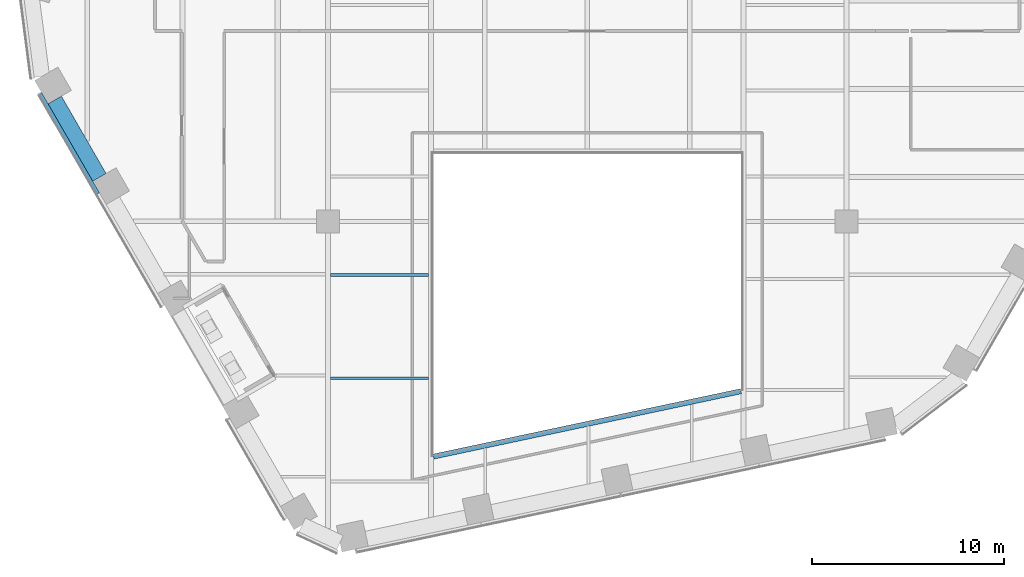
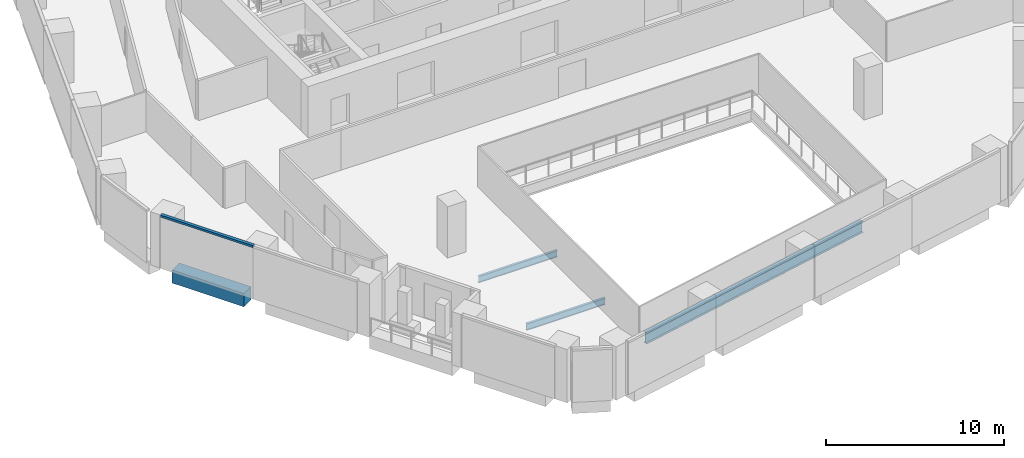
# One storey, part 3 of 26: 4 beams, 1 member, 1 element without a shape of its own.
"""IFC4 building model written with IfcOpenShell, lengths in metres."""

from ifc_helpers import new_model, si_unit, direction, frame, origin, origin_2d, place, context, subcontext, project, spatial, rectangle, i_section, extrude, material, layer, layer_set, material_profile, profile_set, type_object, element, aggregate, save


model = new_model("IFC4")

# Units and contexts
model_context = context("Model", 3, precision=1e-05, world=origin(), true_north=direction((0.0, 1.0)))
body_context = subcontext(model_context, "Body", "Model", "MODEL_VIEW")
ifc_project = project(units=[si_unit("LENGTHUNIT", "METRE"), si_unit("AREAUNIT", "SQUARE_METRE"), si_unit("VOLUMEUNIT", "CUBIC_METRE"), si_unit("PLANEANGLEUNIT", "RADIAN"), si_unit("MASSUNIT", "GRAM", prefix="KILO")], contexts=[model_context])

# Site, building, storey
site_placement = place(None, origin())
site = spatial("IfcSite", under=ifc_project, at=site_placement, CompositionType="ELEMENT")
building_placement = place(site_placement, origin())
building = spatial("IfcBuilding", under=site, at=building_placement, Name="Isthmus Gate Tower", CompositionType="ELEMENT")
storey_placement = place(building_placement, frame((0.0, 0.0, 129.800048828125)))
storey = spatial("IfcBuildingStorey", under=building, at=storey_placement, Name="L31", CompositionType="ELEMENT", Elevation=129.800048828125)

# Curtain wall, member
ifc_material_1 = material(Name="Aluminium, pale champagne anodised", Category="aluminium")
ifc_layer = layer(ifc_material_1, 0.199951171875)
ifc_layer_set = layer_set([ifc_layer], Name="CW-1 UNITISED CURTAIN WALL 200 DEEP")
curtain_wall_type = type_object("IfcCurtainWallType", Name="CW-1 UNITISED CURTAIN WALL 200 DEEP", PredefinedType="NOTDEFINED", material=ifc_layer_set)
curtain_wall_placement = place(storey_placement, origin())
curtain_wall = element("IfcCurtainWall", 1, at=curtain_wall_placement, inside=storey, type_object=curtain_wall_type, Name="CW-1 SW L31", PredefinedType="NOTDEFINED")
ifc_material_2 = material(Name="Aluminium, pale champagne anodised", Category="aluminium")
ifc_material_profile_1 = material_profile(ifc_material_2, rectangle(XDim=0.199951171875, YDim=0.139892578125, at=origin_2d()), Name="200x140")
ifc_profile_set_1 = profile_set([ifc_material_profile_1], Name="Aluminium, pale champagne anodised")
member_type = type_object("IfcMemberType", Name="CW-1 TRANSOM 200 X 140", PredefinedType="USERDEFINED", material=ifc_profile_set_1)
member_placement = place(storey_placement, frame((-28.474609375, -6.880615234375, 3.579833984375), z_axis=(0.500014106551, -0.86601725921, 0.0), x_axis=(0.86601725921, 0.500014106551, 0.0)))
member = element("IfcMember", 2, at=member_placement, type_object=member_type, Name="CW-1 transom", ObjectType="TRANSOM", PredefinedType="USERDEFINED", context=body_context, shape_type="SweptSolid", body=[
    extrude(rectangle(XDim=0.199951171875, YDim=0.139892578125, at=origin_2d()), origin(), (0.0, 0.0, 1.0), 5.989990234375),
])
aggregate(curtain_wall, [member])

# Beams
ifc_material_3 = material(Name="Concrete f'c 60 MPa", Category="concrete")
ifc_material_profile_2 = material_profile(ifc_material_3, rectangle(XDim=0.800048828125, YDim=0.89990234375, at=origin_2d()), Name="RC 800X900")
ifc_profile_set_2 = profile_set([ifc_material_profile_2], Name="Concrete f'c 60 MPa")
beam_type_1 = type_object("IfcBeamType", Name="RC SPANDREL 800 X 900", PredefinedType="SPANDREL", material=ifc_profile_set_2)
beam_1_placement = place(storey_placement, frame((-25.396484375, -11.2119140625, -0.449951171875), z_axis=(-0.500023913295, 0.866011596997, 0.0), x_axis=(-0.866011596997, -0.500023913295, 0.0)))
element("IfcBeam", 3, at=beam_1_placement, inside=storey, type_object=beam_type_1, Name="str-spandrel-L31-19", PredefinedType="SPANDREL", context=body_context, shape_type="SweptSolid", body=[
    extrude(rectangle(XDim=0.800048828125, YDim=0.89990234375, at=origin_2d()), origin(), (0.0, 0.0, 1.0), 4.650146484375),
])
ifc_material_4 = material(Name="Structural steel ASTM A992 Gr 50", Category="steel")
ifc_material_profile_3 = material_profile(ifc_material_4, i_section(OverallWidth=0.15234375, OverallDepth=0.45068359375, WebThickness=0.0078125, FlangeThickness=0.010986328125, at=origin_2d()), Name="W18X35")
ifc_profile_set_3 = profile_set([ifc_material_profile_3], Name="Structural steel ASTM A992 Gr 50")
beam_type_2 = type_object("IfcBeamType", Name="STEEL FLOOR BEAM W18X35", PredefinedType="JOIST", material=ifc_profile_set_3)
for number, where, z_axis, x_axis, name in (
    (4, (-13.36669921875, -21.67041015625, -0.37548828125), (1.0, 0.0, 0.0), (0.0, 1.0, 0.0), "str-beam-L31-05-01"),
    (5, (-13.36669921875, -16.293212890625, -0.37548828125), (1.0, 0.0, 0.0), (0.0, 1.0, 0.0), "str-beam-L31-05-02"),
):
    element("IfcBeam", number, at=place(storey_placement, frame(where, z_axis=z_axis, x_axis=x_axis)), inside=storey, type_object=beam_type_2, Name=name, PredefinedType="JOIST", context=body_context, shape_type="SweptSolid", body=[
        extrude(i_section(OverallWidth=0.15234375, OverallDepth=0.45068359375, WebThickness=0.0078125, FlangeThickness=0.010986328125, at=origin_2d()), origin(), (0.0, 0.0, 1.0), 5.10009765625),
    ])
ifc_material_5 = material(Name="Structural steel ASTM A992 Gr 50", Category="steel")
ifc_material_profile_4 = material_profile(ifc_material_5, i_section(OverallWidth=0.2666015625, OverallDepth=0.7587890625, WebThickness=0.014404296875, FlangeThickness=0.01904296875, at=origin_2d()), Name="W30X108")
ifc_profile_set_4 = profile_set([ifc_material_profile_4], Name="Structural steel ASTM A992 Gr 50")
beam_type_3 = type_object("IfcBeamType", Name="STEEL TRIMMER W30X108", PredefinedType="BEAM", material=ifc_profile_set_4)
beam_2_placement = place(storey_placement, frame((-8.0, -25.747314453125, -0.529541015625), z_axis=(0.978147924985, 0.20791016533, 0.0), x_axis=(-0.20791016533, 0.978147924985, 0.0)))
element("IfcBeam", 6, at=beam_2_placement, inside=storey, type_object=beam_type_3, Name="str-trimmer-L31-03", PredefinedType="BEAM", context=body_context, shape_type="SweptSolid", body=[
    extrude(i_section(OverallWidth=0.2666015625, OverallDepth=0.7587890625, WebThickness=0.014404296875, FlangeThickness=0.01904296875, at=origin_2d()), origin(), (0.0, 0.0, 1.0), 16.357421875),
])

save(model, "model.ifc")
